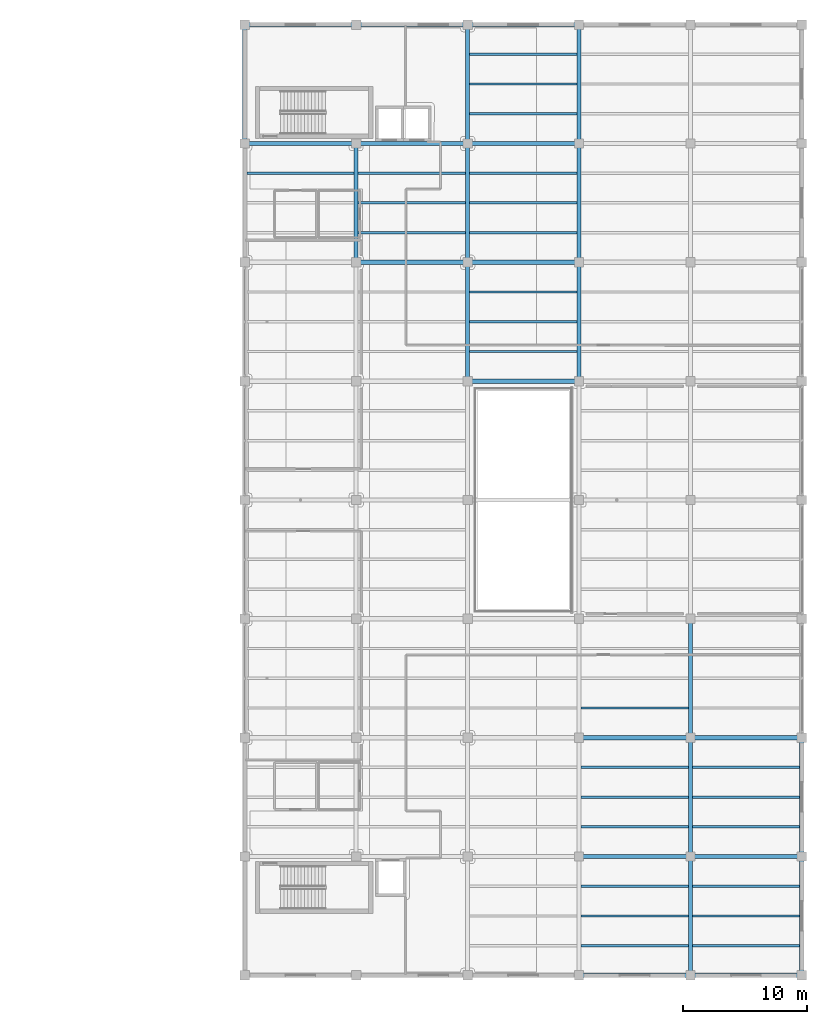
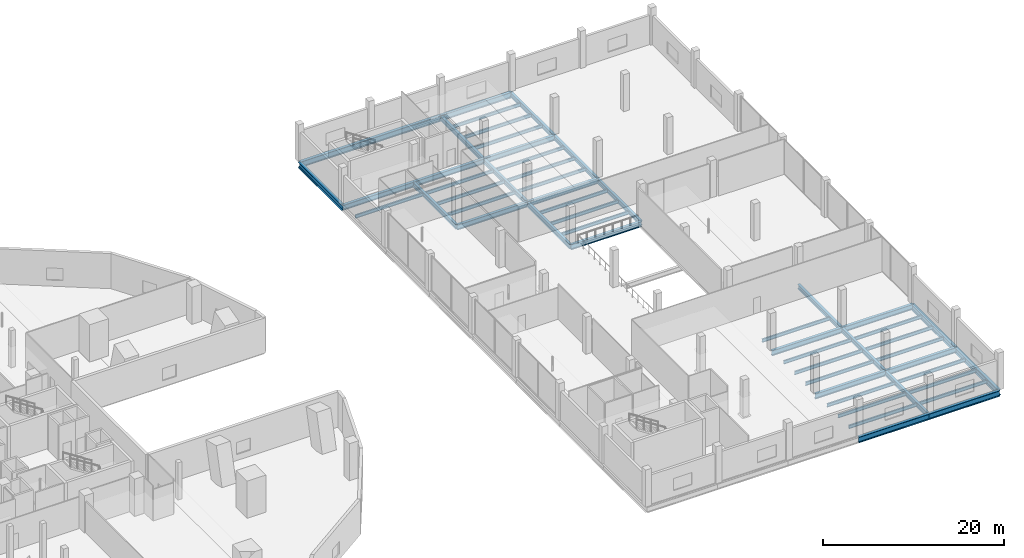
# One storey, part 14 of 47: 54 beams.
"""IFC4 building model written with IfcOpenShell, lengths in metres."""

from ifc_helpers import new_model, si_unit, direction, frame, origin, origin_2d, place, context, subcontext, project, spatial, i_section, extrude, material, material_profile, profile_set, type_object, element, save


model = new_model("IFC4")

# Units and contexts
model_context = context("Model", 3, precision=1e-05, world=origin(), true_north=direction((0.0, 1.0)))
body_context = subcontext(model_context, "Body", "Model", "MODEL_VIEW")
ifc_project = project(units=[si_unit("LENGTHUNIT", "METRE"), si_unit("AREAUNIT", "SQUARE_METRE"), si_unit("VOLUMEUNIT", "CUBIC_METRE"), si_unit("PLANEANGLEUNIT", "RADIAN"), si_unit("MASSUNIT", "GRAM", prefix="KILO")], contexts=[model_context])

# Site, building, storey
site_placement = place(None, origin())
site = spatial("IfcSite", under=ifc_project, at=site_placement, CompositionType="ELEMENT")
building_placement = place(site_placement, origin())
building = spatial("IfcBuilding", under=site, at=building_placement, Name="Qorvath Tower", CompositionType="ELEMENT")
storey_placement = place(building_placement, frame((0.0, 0.0, 12.0)))
storey = spatial("IfcBuildingStorey", under=building, at=storey_placement, Name="L02", CompositionType="ELEMENT", Elevation=12.0)

# Beams
ifc_material_1 = material(Name="Steel ASTM A992 Grade 50", Category="steel")
ifc_material_profile_1 = material_profile(ifc_material_1, i_section(OverallWidth=0.381103515625, OverallDepth=0.77294921875, WebThickness=0.0166015625, FlangeThickness=0.027099609375, FilletRadius=0.01904296875, at=origin_2d()), Name="W30x173")
ifc_profile_set_1 = profile_set([ifc_material_profile_1], Name="Steel ASTM A992 Grade 50")
beam_type_1 = type_object("IfcBeamType", Name="BM-FG3", PredefinedType="BEAM", material=ifc_profile_set_1)
for number, where, z_axis, x_axis, name in (
    (1, (59.39990234375, -38.39990234375, -0.646484375), (1.0, 0.0, 0.0), (0.0, 1.0, 0.0), "Library E-W Girder L02-1-4"),
    (2, (68.39990234375, -38.39990234375, -0.646484375), (1.0, 0.0, 0.0), (0.0, 1.0, 0.0), "Library E-W Girder L02-1-5"),
    (3, (32.39990234375, 38.39990234375, -0.646484375), (1.0, 0.0, 0.0), (0.0, 1.0, 0.0), "Library E-W Girder L02-9-1"),
    (4, (41.39990234375, 38.39990234375, -0.646484375), (1.0, 0.0, 0.0), (0.0, 1.0, 0.0), "Library E-W Girder L02-9-2"),
    (5, (50.39990234375, 38.39990234375, -0.646484375), (1.0, 0.0, 0.0), (0.0, 1.0, 0.0), "Library E-W Girder L02-9-3"),
):
    element("IfcBeam", number, at=place(storey_placement, frame(where, z_axis=z_axis, x_axis=x_axis)), inside=storey, type_object=beam_type_1, Name=name, PredefinedType="BEAM", context=body_context, shape_type="SweptSolid", body=[
        extrude(i_section(OverallWidth=0.381103515625, OverallDepth=0.77294921875, WebThickness=0.0166015625, FlangeThickness=0.027099609375, FilletRadius=0.01904296875, at=origin_2d()), origin(), (0.0, 0.0, 1.0), 9.0),
    ])
for number, where, z_axis, x_axis, name in (
    (6, (32.39990234375, 28.800048828125, -0.646484375), (0.0, 1.0, 0.0), (-1.0, 0.0, 0.0), "Library N-S Girder L02-1-8"),
    (7, (77.39990234375, -38.39990234375, -0.646484375), (0.0, 1.0, 0.0), (-1.0, 0.0, 0.0), "Library N-S Girder L02-6-1"),
):
    element("IfcBeam", number, at=place(storey_placement, frame(where, z_axis=z_axis, x_axis=x_axis)), inside=storey, type_object=beam_type_1, Name=name, PredefinedType="BEAM", context=body_context, shape_type="SweptSolid", body=[
        extrude(i_section(OverallWidth=0.381103515625, OverallDepth=0.77294921875, WebThickness=0.0166015625, FlangeThickness=0.027099609375, FilletRadius=0.01904296875, at=origin_2d()), origin(), (0.0, 0.0, 1.0), 9.599853515625),
    ])
beam_1_placement = place(storey_placement, frame((77.39990234375, -28.800048828125, -0.646484375), z_axis=(0.0, 1.0, 0.0), x_axis=(-1.0, 0.0, 0.0)))
element("IfcBeam", 8, at=beam_1_placement, inside=storey, type_object=beam_type_1, Name="Library N-S Girder L02-6-2", PredefinedType="BEAM", context=body_context, shape_type="SweptSolid", body=[
    extrude(i_section(OverallWidth=0.381103515625, OverallDepth=0.77294921875, WebThickness=0.0166015625, FlangeThickness=0.027099609375, FilletRadius=0.01904296875, at=origin_2d()), origin(), (0.0, 0.0, 1.0), 9.60009765625),
])
ifc_material_2 = material(Name="Steel ASTM A992 Grade 50", Category="steel")
ifc_material_profile_2 = material_profile(ifc_material_2, i_section(OverallWidth=0.35595703125, OverallDepth=0.696044921875, WebThickness=0.015380859375, FlangeThickness=0.02490234375, FilletRadius=0.01806640625, at=origin_2d()), Name="W27x146")
ifc_profile_set_2 = profile_set([ifc_material_profile_2], Name="Steel ASTM A992 Grade 50")
beam_type_2 = type_object("IfcBeamType", Name="BM-FG4", PredefinedType="BEAM", material=ifc_profile_set_2)
for number, where, z_axis, x_axis, name in (
    (9, (59.39990234375, -28.800048828125, -0.60791015625), (1.0, 0.0, 0.0), (0.0, 1.0, 0.0), "Library E-W Girder L02-2-4"),
    (10, (68.39990234375, -28.800048828125, -0.60791015625), (1.0, 0.0, 0.0), (0.0, 1.0, 0.0), "Library E-W Girder L02-2-5"),
    (11, (59.39990234375, -19.199951171875, -0.60791015625), (1.0, 0.0, 0.0), (0.0, 1.0, 0.0), "Library E-W Girder L02-3-4"),
    (12, (68.39990234375, -19.199951171875, -0.60791015625), (1.0, 0.0, 0.0), (0.0, 1.0, 0.0), "Library E-W Girder L02-3-5"),
    (13, (50.39990234375, 9.60009765625, -0.60791015625), (1.0, 0.0, 0.0), (0.0, 1.0, 0.0), "Library E-W Girder L02-6-3"),
    (14, (41.39990234375, 19.199951171875, -0.60791015625), (1.0, 0.0, 0.0), (0.0, 1.0, 0.0), "Library E-W Girder L02-7-2"),
    (15, (50.39990234375, 19.199951171875, -0.60791015625), (1.0, 0.0, 0.0), (0.0, 1.0, 0.0), "Library E-W Girder L02-7-3"),
    (16, (32.39990234375, 28.800048828125, -0.60791015625), (1.0, 0.0, 0.0), (0.0, 1.0, 0.0), "Library E-W Girder L02-8-1"),
    (17, (41.39990234375, 28.800048828125, -0.60791015625), (1.0, 0.0, 0.0), (0.0, 1.0, 0.0), "Library E-W Girder L02-8-2"),
    (18, (50.39990234375, 28.800048828125, -0.60791015625), (1.0, 0.0, 0.0), (0.0, 1.0, 0.0), "Library E-W Girder L02-8-3"),
):
    element("IfcBeam", number, at=place(storey_placement, frame(where, z_axis=z_axis, x_axis=x_axis)), inside=storey, type_object=beam_type_2, Name=name, PredefinedType="BEAM", context=body_context, shape_type="SweptSolid", body=[
        extrude(i_section(OverallWidth=0.35595703125, OverallDepth=0.696044921875, WebThickness=0.015380859375, FlangeThickness=0.02490234375, FilletRadius=0.01806640625, at=origin_2d()), origin(), (0.0, 0.0, 1.0), 9.0),
    ])
ifc_material_3 = material(Name="Steel ASTM A992 Grade 50", Category="steel")
ifc_material_profile_3 = material_profile(ifc_material_3, i_section(OverallWidth=0.324951171875, OverallDepth=0.615966796875, WebThickness=0.013916015625, FlangeThickness=0.021484375, FilletRadius=0.01611328125, at=origin_2d()), Name="W24x117")
ifc_profile_set_3 = profile_set([ifc_material_profile_3], Name="Steel ASTM A992 Grade 50")
beam_type_3 = type_object("IfcBeamType", Name="BM-FG5", PredefinedType="BEAM", material=ifc_profile_set_3)
beam_2_placement = place(storey_placement, frame((41.39990234375, 19.199951171875, -0.568115234375), z_axis=(0.0, 1.0, 0.0), x_axis=(-1.0, 0.0, 0.0)))
element("IfcBeam", 19, at=beam_2_placement, inside=storey, type_object=beam_type_3, Name="Library N-S Girder L02-2-7", PredefinedType="BEAM", context=body_context, shape_type="SweptSolid", body=[
    extrude(i_section(OverallWidth=0.324951171875, OverallDepth=0.615966796875, WebThickness=0.013916015625, FlangeThickness=0.021484375, FilletRadius=0.01611328125, at=origin_2d()), origin(), (0.0, 0.0, 1.0), 9.60009765625),
])
beam_3_placement = place(storey_placement, frame((50.39990234375, 9.60009765625, -0.568115234375), z_axis=(0.0, 1.0, 0.0), x_axis=(-1.0, 0.0, 0.0)))
element("IfcBeam", 20, at=beam_3_placement, inside=storey, type_object=beam_type_3, Name="Library N-S Girder L02-3-6", PredefinedType="BEAM", context=body_context, shape_type="SweptSolid", body=[
    extrude(i_section(OverallWidth=0.324951171875, OverallDepth=0.615966796875, WebThickness=0.013916015625, FlangeThickness=0.021484375, FilletRadius=0.01611328125, at=origin_2d()), origin(), (0.0, 0.0, 1.0), 9.599853515625),
])
beam_4_placement = place(storey_placement, frame((50.39990234375, 19.199951171875, -0.568115234375), z_axis=(0.0, 1.0, 0.0), x_axis=(-1.0, 0.0, 0.0)))
element("IfcBeam", 21, at=beam_4_placement, inside=storey, type_object=beam_type_3, Name="Library N-S Girder L02-3-7", PredefinedType="BEAM", context=body_context, shape_type="SweptSolid", body=[
    extrude(i_section(OverallWidth=0.324951171875, OverallDepth=0.615966796875, WebThickness=0.013916015625, FlangeThickness=0.021484375, FilletRadius=0.01611328125, at=origin_2d()), origin(), (0.0, 0.0, 1.0), 9.60009765625),
])
for number, where, z_axis, x_axis, name in (
    (22, (50.39990234375, 28.800048828125, -0.568115234375), (0.0, 1.0, 0.0), (-1.0, 0.0, 0.0), "Library N-S Girder L02-3-8"),
    (23, (59.39990234375, 9.60009765625, -0.568115234375), (0.0, 1.0, 0.0), (-1.0, 0.0, 0.0), "Library N-S Girder L02-4-6"),
):
    element("IfcBeam", number, at=place(storey_placement, frame(where, z_axis=z_axis, x_axis=x_axis)), inside=storey, type_object=beam_type_3, Name=name, PredefinedType="BEAM", context=body_context, shape_type="SweptSolid", body=[
        extrude(i_section(OverallWidth=0.324951171875, OverallDepth=0.615966796875, WebThickness=0.013916015625, FlangeThickness=0.021484375, FilletRadius=0.01611328125, at=origin_2d()), origin(), (0.0, 0.0, 1.0), 9.599853515625),
    ])
beam_5_placement = place(storey_placement, frame((59.39990234375, 19.199951171875, -0.568115234375), z_axis=(0.0, 1.0, 0.0), x_axis=(-1.0, 0.0, 0.0)))
element("IfcBeam", 24, at=beam_5_placement, inside=storey, type_object=beam_type_3, Name="Library N-S Girder L02-4-7", PredefinedType="BEAM", context=body_context, shape_type="SweptSolid", body=[
    extrude(i_section(OverallWidth=0.324951171875, OverallDepth=0.615966796875, WebThickness=0.013916015625, FlangeThickness=0.021484375, FilletRadius=0.01611328125, at=origin_2d()), origin(), (0.0, 0.0, 1.0), 9.60009765625),
])
for number, where, z_axis, x_axis, name in (
    (25, (59.39990234375, 28.800048828125, -0.568115234375), (0.0, 1.0, 0.0), (-1.0, 0.0, 0.0), "Library N-S Girder L02-4-8"),
    (26, (68.39990234375, -38.39990234375, -0.568115234375), (0.0, 1.0, 0.0), (-1.0, 0.0, 0.0), "Library N-S Girder L02-5-1"),
):
    element("IfcBeam", number, at=place(storey_placement, frame(where, z_axis=z_axis, x_axis=x_axis)), inside=storey, type_object=beam_type_3, Name=name, PredefinedType="BEAM", context=body_context, shape_type="SweptSolid", body=[
        extrude(i_section(OverallWidth=0.324951171875, OverallDepth=0.615966796875, WebThickness=0.013916015625, FlangeThickness=0.021484375, FilletRadius=0.01611328125, at=origin_2d()), origin(), (0.0, 0.0, 1.0), 9.599853515625),
    ])
beam_6_placement = place(storey_placement, frame((68.39990234375, -28.800048828125, -0.568115234375), z_axis=(0.0, 1.0, 0.0), x_axis=(-1.0, 0.0, 0.0)))
element("IfcBeam", 27, at=beam_6_placement, inside=storey, type_object=beam_type_3, Name="Library N-S Girder L02-5-2", PredefinedType="BEAM", context=body_context, shape_type="SweptSolid", body=[
    extrude(i_section(OverallWidth=0.324951171875, OverallDepth=0.615966796875, WebThickness=0.013916015625, FlangeThickness=0.021484375, FilletRadius=0.01611328125, at=origin_2d()), origin(), (0.0, 0.0, 1.0), 9.60009765625),
])
beam_7_placement = place(storey_placement, frame((68.39990234375, -19.199951171875, -0.568115234375), z_axis=(0.0, 1.0, 0.0), x_axis=(-1.0, 0.0, 0.0)))
element("IfcBeam", 28, at=beam_7_placement, inside=storey, type_object=beam_type_3, Name="Library N-S Girder L02-5-3", PredefinedType="BEAM", context=body_context, shape_type="SweptSolid", body=[
    extrude(i_section(OverallWidth=0.324951171875, OverallDepth=0.615966796875, WebThickness=0.013916015625, FlangeThickness=0.021484375, FilletRadius=0.01611328125, at=origin_2d()), origin(), (0.0, 0.0, 1.0), 9.599853515625),
])
ifc_material_4 = material(Name="Steel ASTM A992 Grade 50", Category="steel")
ifc_material_profile_4 = material_profile(ifc_material_4, i_section(OverallWidth=0.18994140625, OverallDepth=0.45703125, WebThickness=0.009033203125, FlangeThickness=0.014404296875, FilletRadius=0.011962890625, at=origin_2d()), Name="W18x50")
ifc_profile_set_4 = profile_set([ifc_material_profile_4], Name="Steel ASTM A992 Grade 50")
beam_type_4 = type_object("IfcBeamType", Name="BM-FJ2", PredefinedType="JOIST", material=ifc_profile_set_4)
beam_8_placement = place(storey_placement, frame((59.560546875, -36.0, -0.488525390625), z_axis=(1.0, 0.0, 0.0), x_axis=(0.0, 1.0, 0.0)))
element("IfcBeam", 29, at=beam_8_placement, inside=storey, type_object=beam_type_4, Name="Library Stack Joist L02-1.1-4", PredefinedType="JOIST", context=body_context, shape_type="SweptSolid", body=[
    extrude(i_section(OverallWidth=0.18994140625, OverallDepth=0.45703125, WebThickness=0.009033203125, FlangeThickness=0.014404296875, FilletRadius=0.011962890625, at=origin_2d()), origin(), (0.0, 0.0, 1.0), 8.678955078125),
])
beam_9_placement = place(storey_placement, frame((68.560546875, -36.0, -0.488525390625), z_axis=(1.0, 0.0, 0.0), x_axis=(0.0, 1.0, 0.0)))
element("IfcBeam", 30, at=beam_9_placement, inside=storey, type_object=beam_type_4, Name="Library Stack Joist L02-1.1-5", PredefinedType="JOIST", context=body_context, shape_type="SweptSolid", body=[
    extrude(i_section(OverallWidth=0.18994140625, OverallDepth=0.45703125, WebThickness=0.009033203125, FlangeThickness=0.014404296875, FilletRadius=0.011962890625, at=origin_2d()), origin(), (0.0, 0.0, 1.0), 8.65087890625),
])
beam_10_placement = place(storey_placement, frame((59.560546875, -33.60009765625, -0.488525390625), z_axis=(1.0, 0.0, 0.0), x_axis=(0.0, 1.0, 0.0)))
element("IfcBeam", 31, at=beam_10_placement, inside=storey, type_object=beam_type_4, Name="Library Stack Joist L02-1.2-4", PredefinedType="JOIST", context=body_context, shape_type="SweptSolid", body=[
    extrude(i_section(OverallWidth=0.18994140625, OverallDepth=0.45703125, WebThickness=0.009033203125, FlangeThickness=0.014404296875, FilletRadius=0.011962890625, at=origin_2d()), origin(), (0.0, 0.0, 1.0), 8.678955078125),
])
beam_11_placement = place(storey_placement, frame((68.560546875, -33.60009765625, -0.488525390625), z_axis=(1.0, 0.0, 0.0), x_axis=(0.0, 1.0, 0.0)))
element("IfcBeam", 32, at=beam_11_placement, inside=storey, type_object=beam_type_4, Name="Library Stack Joist L02-1.2-5", PredefinedType="JOIST", context=body_context, shape_type="SweptSolid", body=[
    extrude(i_section(OverallWidth=0.18994140625, OverallDepth=0.45703125, WebThickness=0.009033203125, FlangeThickness=0.014404296875, FilletRadius=0.011962890625, at=origin_2d()), origin(), (0.0, 0.0, 1.0), 8.65087890625),
])
beam_12_placement = place(storey_placement, frame((59.560546875, -31.199951171875, -0.488525390625), z_axis=(1.0, 0.0, 0.0), x_axis=(0.0, 1.0, 0.0)))
element("IfcBeam", 33, at=beam_12_placement, inside=storey, type_object=beam_type_4, Name="Library Stack Joist L02-1.3-4", PredefinedType="JOIST", context=body_context, shape_type="SweptSolid", body=[
    extrude(i_section(OverallWidth=0.18994140625, OverallDepth=0.45703125, WebThickness=0.009033203125, FlangeThickness=0.014404296875, FilletRadius=0.011962890625, at=origin_2d()), origin(), (0.0, 0.0, 1.0), 8.678955078125),
])
beam_13_placement = place(storey_placement, frame((68.560546875, -31.199951171875, -0.488525390625), z_axis=(1.0, 0.0, 0.0), x_axis=(0.0, 1.0, 0.0)))
element("IfcBeam", 34, at=beam_13_placement, inside=storey, type_object=beam_type_4, Name="Library Stack Joist L02-1.3-5", PredefinedType="JOIST", context=body_context, shape_type="SweptSolid", body=[
    extrude(i_section(OverallWidth=0.18994140625, OverallDepth=0.45703125, WebThickness=0.009033203125, FlangeThickness=0.014404296875, FilletRadius=0.011962890625, at=origin_2d()), origin(), (0.0, 0.0, 1.0), 8.65087890625),
])
beam_14_placement = place(storey_placement, frame((59.560546875, -26.39990234375, -0.488525390625), z_axis=(1.0, 0.0, 0.0), x_axis=(0.0, 1.0, 0.0)))
element("IfcBeam", 35, at=beam_14_placement, inside=storey, type_object=beam_type_4, Name="Library Stack Joist L02-2.1-4", PredefinedType="JOIST", context=body_context, shape_type="SweptSolid", body=[
    extrude(i_section(OverallWidth=0.18994140625, OverallDepth=0.45703125, WebThickness=0.009033203125, FlangeThickness=0.014404296875, FilletRadius=0.011962890625, at=origin_2d()), origin(), (0.0, 0.0, 1.0), 8.678955078125),
])
beam_15_placement = place(storey_placement, frame((68.560546875, -26.39990234375, -0.488525390625), z_axis=(1.0, 0.0, 0.0), x_axis=(0.0, 1.0, 0.0)))
element("IfcBeam", 36, at=beam_15_placement, inside=storey, type_object=beam_type_4, Name="Library Stack Joist L02-2.1-5", PredefinedType="JOIST", context=body_context, shape_type="SweptSolid", body=[
    extrude(i_section(OverallWidth=0.18994140625, OverallDepth=0.45703125, WebThickness=0.009033203125, FlangeThickness=0.014404296875, FilletRadius=0.011962890625, at=origin_2d()), origin(), (0.0, 0.0, 1.0), 8.65087890625),
])
beam_16_placement = place(storey_placement, frame((59.560546875, -24.0, -0.488525390625), z_axis=(1.0, 0.0, 0.0), x_axis=(0.0, 1.0, 0.0)))
element("IfcBeam", 37, at=beam_16_placement, inside=storey, type_object=beam_type_4, Name="Library Stack Joist L02-2.2-4", PredefinedType="JOIST", context=body_context, shape_type="SweptSolid", body=[
    extrude(i_section(OverallWidth=0.18994140625, OverallDepth=0.45703125, WebThickness=0.009033203125, FlangeThickness=0.014404296875, FilletRadius=0.011962890625, at=origin_2d()), origin(), (0.0, 0.0, 1.0), 8.678955078125),
])
beam_17_placement = place(storey_placement, frame((68.560546875, -24.0, -0.488525390625), z_axis=(1.0, 0.0, 0.0), x_axis=(0.0, 1.0, 0.0)))
element("IfcBeam", 38, at=beam_17_placement, inside=storey, type_object=beam_type_4, Name="Library Stack Joist L02-2.2-5", PredefinedType="JOIST", context=body_context, shape_type="SweptSolid", body=[
    extrude(i_section(OverallWidth=0.18994140625, OverallDepth=0.45703125, WebThickness=0.009033203125, FlangeThickness=0.014404296875, FilletRadius=0.011962890625, at=origin_2d()), origin(), (0.0, 0.0, 1.0), 8.65087890625),
])
beam_18_placement = place(storey_placement, frame((59.560546875, -21.60009765625, -0.488525390625), z_axis=(1.0, 0.0, 0.0), x_axis=(0.0, 1.0, 0.0)))
element("IfcBeam", 39, at=beam_18_placement, inside=storey, type_object=beam_type_4, Name="Library Stack Joist L02-2.3-4", PredefinedType="JOIST", context=body_context, shape_type="SweptSolid", body=[
    extrude(i_section(OverallWidth=0.18994140625, OverallDepth=0.45703125, WebThickness=0.009033203125, FlangeThickness=0.014404296875, FilletRadius=0.011962890625, at=origin_2d()), origin(), (0.0, 0.0, 1.0), 8.678955078125),
])
beam_19_placement = place(storey_placement, frame((68.560546875, -21.60009765625, -0.488525390625), z_axis=(1.0, 0.0, 0.0), x_axis=(0.0, 1.0, 0.0)))
element("IfcBeam", 40, at=beam_19_placement, inside=storey, type_object=beam_type_4, Name="Library Stack Joist L02-2.3-5", PredefinedType="JOIST", context=body_context, shape_type="SweptSolid", body=[
    extrude(i_section(OverallWidth=0.18994140625, OverallDepth=0.45703125, WebThickness=0.009033203125, FlangeThickness=0.014404296875, FilletRadius=0.011962890625, at=origin_2d()), origin(), (0.0, 0.0, 1.0), 8.65087890625),
])
for number, where, z_axis, x_axis, name in (
    (41, (59.560546875, -16.800048828125, -0.488525390625), (1.0, 0.0, 0.0), (0.0, 1.0, 0.0), "Library Stack Joist L02-3.1-4"),
    (42, (50.560546875, 12.0, -0.488525390625), (1.0, 0.0, 0.0), (0.0, 1.0, 0.0), "Library Stack Joist L02-6.1-3"),
    (43, (50.560546875, 14.39990234375, -0.488525390625), (1.0, 0.0, 0.0), (0.0, 1.0, 0.0), "Library Stack Joist L02-6.2-3"),
    (44, (50.560546875, 16.800048828125, -0.488525390625), (1.0, 0.0, 0.0), (0.0, 1.0, 0.0), "Library Stack Joist L02-6.3-3"),
    (45, (41.560546875, 21.60009765625, -0.488525390625), (1.0, 0.0, 0.0), (0.0, 1.0, 0.0), "Library Stack Joist L02-7.1-2"),
    (46, (50.560546875, 21.60009765625, -0.488525390625), (1.0, 0.0, 0.0), (0.0, 1.0, 0.0), "Library Stack Joist L02-7.1-3"),
    (47, (41.560546875, 24.0, -0.488525390625), (1.0, 0.0, 0.0), (0.0, 1.0, 0.0), "Library Stack Joist L02-7.2-2"),
    (48, (50.560546875, 24.0, -0.488525390625), (1.0, 0.0, 0.0), (0.0, 1.0, 0.0), "Library Stack Joist L02-7.2-3"),
):
    element("IfcBeam", number, at=place(storey_placement, frame(where, z_axis=z_axis, x_axis=x_axis)), inside=storey, type_object=beam_type_4, Name=name, PredefinedType="JOIST", context=body_context, shape_type="SweptSolid", body=[
        extrude(i_section(OverallWidth=0.18994140625, OverallDepth=0.45703125, WebThickness=0.009033203125, FlangeThickness=0.014404296875, FilletRadius=0.011962890625, at=origin_2d()), origin(), (0.0, 0.0, 1.0), 8.678955078125),
    ])
beam_20_placement = place(storey_placement, frame((32.58837890625, 26.39990234375, -0.488525390625), z_axis=(1.0, 0.0, 0.0), x_axis=(0.0, 1.0, 0.0)))
element("IfcBeam", 49, at=beam_20_placement, inside=storey, type_object=beam_type_4, Name="Library Stack Joist L02-7.3-1", PredefinedType="JOIST", context=body_context, shape_type="SweptSolid", body=[
    extrude(i_section(OverallWidth=0.18994140625, OverallDepth=0.45703125, WebThickness=0.009033203125, FlangeThickness=0.014404296875, FilletRadius=0.011962890625, at=origin_2d()), origin(), (0.0, 0.0, 1.0), 8.651123046875),
])
for number, where, z_axis, x_axis, name in (
    (50, (41.560546875, 26.39990234375, -0.488525390625), (1.0, 0.0, 0.0), (0.0, 1.0, 0.0), "Library Stack Joist L02-7.3-2"),
    (51, (50.560546875, 26.39990234375, -0.488525390625), (1.0, 0.0, 0.0), (0.0, 1.0, 0.0), "Library Stack Joist L02-7.3-3"),
    (52, (50.560546875, 31.199951171875, -0.488525390625), (1.0, 0.0, 0.0), (0.0, 1.0, 0.0), "Library Stack Joist L02-8.1-3"),
    (53, (50.560546875, 33.60009765625, -0.488525390625), (1.0, 0.0, 0.0), (0.0, 1.0, 0.0), "Library Stack Joist L02-8.2-3"),
    (54, (50.560546875, 36.0, -0.488525390625), (1.0, 0.0, 0.0), (0.0, 1.0, 0.0), "Library Stack Joist L02-8.3-3"),
):
    element("IfcBeam", number, at=place(storey_placement, frame(where, z_axis=z_axis, x_axis=x_axis)), inside=storey, type_object=beam_type_4, Name=name, PredefinedType="JOIST", context=body_context, shape_type="SweptSolid", body=[
        extrude(i_section(OverallWidth=0.18994140625, OverallDepth=0.45703125, WebThickness=0.009033203125, FlangeThickness=0.014404296875, FilletRadius=0.011962890625, at=origin_2d()), origin(), (0.0, 0.0, 1.0), 8.678955078125),
    ])

save(model, "model.ifc")
